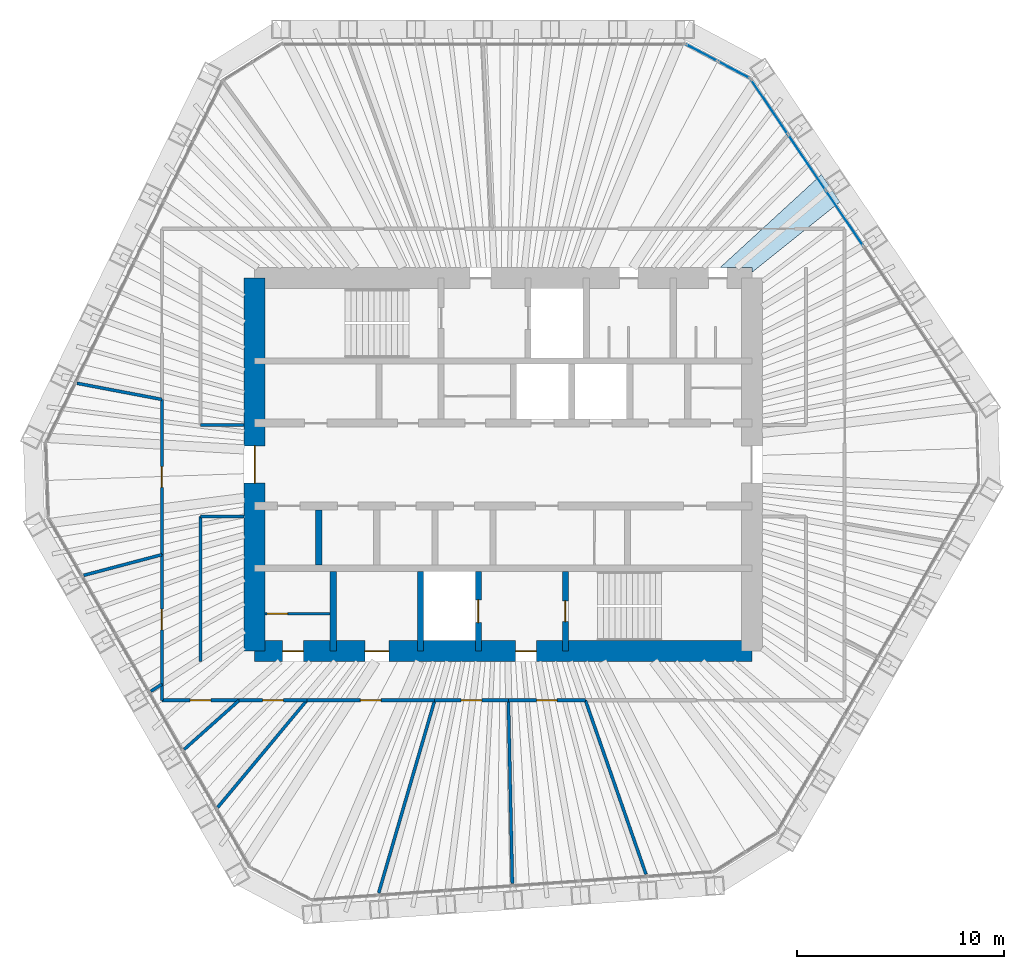
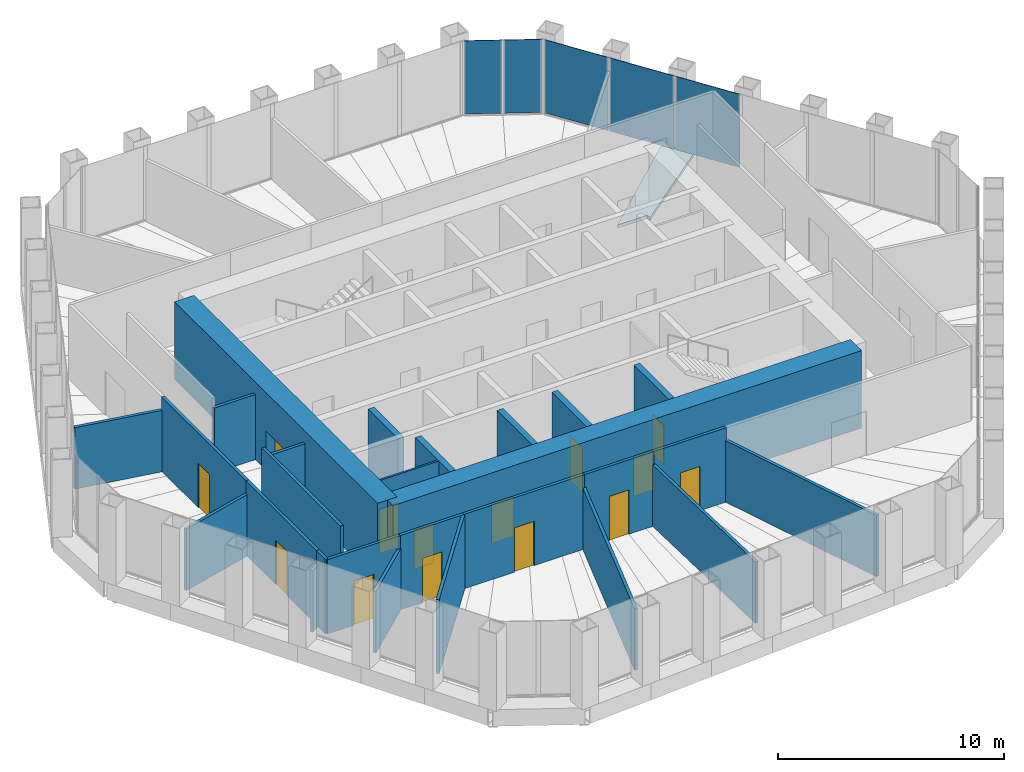
# One storey, part 11 of 14: 27 walls, 14 doors, 5 plates, 1 slab, 14 openings, 2 elements without a shape of their own.
"""IFC4 building model written with IfcOpenShell, lengths in metres."""

import ifcopenshell
import ifcopenshell.guid

model = None  # the IFC model being written
_history = None  # IfcOwnerHistory: only IFC2X3 demands one
_inside = {}  # id of a spatial element -> (the spatial element, [elements in it])
_under = {}  # id of a project, library or spatial element -> (it, [spatial elements below it])
_declared = {}  # id of a project -> (the project, [libraries it declares])
_typed = {}  # id of a type object -> (the type object, [elements of that type])
_made_of = {}  # id of a material, layer set ... -> (it, [elements and type objects made of it])


def new_model(schema):
    """Start an empty IFC model of exactly this schema.

    Asked for "IFC4X3", IfcOpenShell would pick the latest addendum, in which some entities
    have other attributes; the version numbers below select the first issue.
    IFC2X3 requires an IfcOwnerHistory on every rooted entity: one is made here for all.
    """
    global model, _history
    if schema == "IFC4X3":
        model = ifcopenshell.file(schema_version=(4, 3, 0, 0))
    else:
        model = ifcopenshell.file(schema=schema)
    _inside.clear()
    _under.clear()
    _declared.clear()
    _typed.clear()
    _made_of.clear()
    _history = None
    if model.schema == "IFC2X3":
        org = make("IfcOrganization", Name="unknown")
        user = make(
            "IfcPersonAndOrganization",
            ThePerson=make("IfcPerson", FamilyName="unknown"),
            TheOrganization=org,
        )
        app = make(
            "IfcApplication",
            ApplicationDeveloper=org,
            Version="unknown",
            ApplicationFullName="unknown",
            ApplicationIdentifier="unknown",
        )
        _history = make(
            "IfcOwnerHistory",
            OwningUser=user,
            OwningApplication=app,
            ChangeAction="ADDED",
            CreationDate=0,
        )
    return model


def make(cls, **values):
    """One entity of the class cls with the attributes given. An attribute that is None is left unset."""
    return model.create_entity(
        cls, **{name: value for name, value in values.items() if value is not None}
    )


def rooted(cls, **values):
    """An entity with a GlobalId (a new one), such as an element, a storey or a relation."""
    return make(cls, GlobalId=ifcopenshell.guid.new(), OwnerHistory=_history, **values)


def si_unit(unit_type, name, prefix=None):
    """IfcSIUnit, for example si_unit("LENGTHUNIT", "METRE", prefix="MILLI")."""
    return make("IfcSIUnit", UnitType=unit_type, Prefix=prefix, Name=name)


def assignment(units):
    """IfcUnitAssignment: the units of a project."""
    return None if units is None else make("IfcUnitAssignment", Units=units)


def point(xyz):
    """IfcCartesianPoint."""
    return None if xyz is None else make("IfcCartesianPoint", Coordinates=xyz)


def direction(xyz):
    """IfcDirection."""
    return None if xyz is None else make("IfcDirection", DirectionRatios=xyz)


def frame(location, z_axis=None, x_axis=None):
    """IfcAxis2Placement3D, a coordinate frame: its origin and axes. An axis left out is left unset."""
    return make(
        "IfcAxis2Placement3D",
        Location=point(location),
        Axis=direction(z_axis),
        RefDirection=direction(x_axis),
    )


def frame_2d(location, x_axis=None):
    """IfcAxis2Placement2D, a coordinate frame in the plane: its origin and x axis."""
    return make(
        "IfcAxis2Placement2D", Location=point(location), RefDirection=direction(x_axis)
    )


def origin():
    """The frame at (0, 0, 0) with its axes left unset."""
    return frame((0.0, 0.0, 0.0))


def origin_2d():
    """The frame at (0, 0) in the plane with its x axis left unset."""
    return frame_2d((0.0, 0.0))


def place(relative_to, where):
    """IfcLocalPlacement: puts the frame where relative to a parent placement (None: the world)."""
    return make(
        "IfcLocalPlacement", PlacementRelTo=relative_to, RelativePlacement=where
    )


def context(
    kind, dimensions, precision=None, world=None, true_north=None, identifier=None
):
    """IfcGeometricRepresentationContext, for example the 3D "Model" context."""
    return make(
        "IfcGeometricRepresentationContext",
        ContextIdentifier=identifier,
        ContextType=kind,
        CoordinateSpaceDimension=dimensions,
        Precision=precision,
        WorldCoordinateSystem=world,
        TrueNorth=true_north,
    )


def subcontext(parent, identifier, kind, view, scale=None):
    """IfcGeometricRepresentationSubContext, for example "Body" below "Model"."""
    return make(
        "IfcGeometricRepresentationSubContext",
        ContextIdentifier=identifier,
        ContextType=kind,
        ParentContext=parent,
        TargetScale=scale,
        TargetView=view,
    )


def project(units=None, contexts=None):
    """IfcProject with its units and contexts."""
    return rooted(
        "IfcProject",
        Name="project",
        RepresentationContexts=contexts,
        UnitsInContext=assignment(units),
    )


def spatial(cls, under=None, at=None, **own):
    """A site, building, storey or space (cls), placed at a placement, below another one or the project."""
    s = rooted(cls, ObjectPlacement=at, **own)
    if under is not None:
        _under.setdefault(under.id(), (under, []))[1].append(s)
    return s


def polyline(points):
    """IfcPolyline through the points."""
    return make("IfcPolyline", Points=[point(p) for p in points])


def profile(cls, at=None, kind="AREA", **sizes):
    """A parametric profile (cls). Its sizes go by their IFC names, for example OverallWidth=200.0."""
    return make(cls, ProfileType=kind, Position=at, **sizes)


def rectangle(**sizes):
    """IfcRectangleProfileDef."""
    return profile("IfcRectangleProfileDef", **sizes)


def outline(outer, holes=None, kind="AREA"):
    """IfcArbitraryClosedProfileDef: a profile drawn as a closed curve; with holes, ...WithVoids."""
    if holes is None:
        return make("IfcArbitraryClosedProfileDef", ProfileType=kind, OuterCurve=outer)
    return make(
        "IfcArbitraryProfileDefWithVoids",
        ProfileType=kind,
        OuterCurve=outer,
        InnerCurves=holes,
    )


def extrude(swept, where, along, depth):
    """IfcExtrudedAreaSolid: the profile swept, set in the frame where, extruded along a direction by depth."""
    return make(
        "IfcExtrudedAreaSolid",
        SweptArea=swept,
        Position=where,
        ExtrudedDirection=direction(along),
        Depth=depth,
    )


def shape(context_of_items, identifier, shape_type, items):
    """IfcShapeRepresentation: the items that make up one representation, for example the "Body"."""
    return make(
        "IfcShapeRepresentation",
        ContextOfItems=context_of_items,
        RepresentationIdentifier=identifier,
        RepresentationType=shape_type,
        Items=items,
    )


def material(Name=None, Category=None):
    """IfcMaterial."""
    return make("IfcMaterial", Name=Name, Category=Category)


def layer(
    of_material, thickness, ventilated=None, Name=None, Category=None, Priority=None
):
    """IfcMaterialLayer: one layer of a wall or slab, of a material (None: an air gap)."""
    return make(
        "IfcMaterialLayer",
        Material=of_material,
        LayerThickness=thickness,
        IsVentilated=ventilated,
        Name=Name,
        Category=Category,
        Priority=Priority,
    )


def layer_set(layers, Name=None):
    """IfcMaterialLayerSet."""
    return make("IfcMaterialLayerSet", MaterialLayers=layers, LayerSetName=Name)


def made_of(thing, what):
    """Note that an element or type object is made of a material, layer set ...; save() writes the relation."""
    if what is not None:
        _made_of.setdefault(what.id(), (what, []))[1].append(thing)
    return thing


def type_object(cls, material=None, **own):
    """A type object (cls), such as IfcWallType, which elements share."""
    return made_of(rooted(cls, **own), material)


def element(
    cls,
    number,
    at=None,
    inside=None,
    cuts=None,
    type_object=None,
    material=None,
    context=None,
    identifier="Body",
    shape_type=None,
    held_by="IfcProductDefinitionShape",
    body=None,
    shapes=None,
    **own,
):
    """One element of the class cls, such as IfcWall. Its Tag is "e" and its number.

    at: its placement. inside: the storey or other place that contains it. cuts: it is an
    opening in that element (IfcRelVoidsElement). A single representation is given by context,
    identifier, shape_type and body (its items); several are given by shapes. held_by: the class
    of the entity that holds the representations. save() writes the other relations.
    """
    e = rooted(cls, Tag="e%d" % number, ObjectPlacement=at, **own)
    if body is not None:
        shapes = [shape(context, identifier, shape_type, body)]
    if shapes is not None:
        e.Representation = make(held_by, Representations=shapes)
    if inside is not None:
        _inside.setdefault(inside.id(), (inside, []))[1].append(e)
    if cuts is not None:
        rooted(
            "IfcRelVoidsElement", RelatingBuildingElement=cuts, RelatedOpeningElement=e
        )
    if type_object is not None:
        _typed.setdefault(type_object.id(), (type_object, []))[1].append(e)
    return made_of(e, material)


def fill(opening, filler):
    """IfcRelFillsElement: the door or window that sits in an opening."""
    return rooted(
        "IfcRelFillsElement",
        RelatingOpeningElement=opening,
        RelatedBuildingElement=filler,
    )


def aggregate(whole, parts):
    """IfcRelAggregates: a whole, such as a stair, and the parts it consists of."""
    return rooted("IfcRelAggregates", RelatingObject=whole, RelatedObjects=parts)


def save(model, path):
    """Write the relations noted so far, then the file.

    IfcRelAggregates (storeys below a building ...), IfcRelContainedInSpatialStructure (elements
    in a storey), IfcRelDefinesByType, IfcRelAssociatesMaterial and IfcRelDeclares: one each for
    every whole, place, type object, material and project.
    """
    for whole, parts in _under.values():
        aggregate(whole, parts)
    for where, things in _inside.values():
        rooted(
            "IfcRelContainedInSpatialStructure",
            RelatedElements=things,
            RelatingStructure=where,
        )
    for kind, things in _typed.values():
        rooted("IfcRelDefinesByType", RelatedObjects=things, RelatingType=kind)
    for what, things in _made_of.values():
        rooted("IfcRelAssociatesMaterial", RelatedObjects=things, RelatingMaterial=what)
    for by, libraries in _declared.values():
        rooted("IfcRelDeclares", RelatingContext=by, RelatedDefinitions=libraries)
    model.write(path)


model = new_model("IFC4")

# Units and contexts
model_context = context("Model", 3, precision=1e-05, world=origin(), true_north=direction((0.0, 1.0)))
body_context = subcontext(model_context, "Body", "Model", "MODEL_VIEW")
ifc_project = project(units=[si_unit("LENGTHUNIT", "METRE"), si_unit("AREAUNIT", "SQUARE_METRE"), si_unit("VOLUMEUNIT", "CUBIC_METRE"), si_unit("PLANEANGLEUNIT", "RADIAN"), si_unit("MASSUNIT", "GRAM", prefix="KILO")], contexts=[model_context])

# Site, building, storey
site_placement = place(None, origin())
site = spatial("IfcSite", under=ifc_project, at=site_placement, CompositionType="ELEMENT")
building_placement = place(site_placement, origin())
building = spatial("IfcBuilding", under=site, at=building_placement, Name="Qingtian Harvest Tower", CompositionType="ELEMENT")
storey_placement = place(building_placement, frame((0.0, 0.0, 270.39990234375)))
storey = spatial("IfcBuildingStorey", under=building, at=storey_placement, Name="L59", CompositionType="ELEMENT", Elevation=270.39990234375)

# Slab
ifc_material_1 = material(Name="Concrete fc' 35 MPa", Category="concrete")
ifc_layer_1 = layer(ifc_material_1, 0.169921875)
ifc_layer_set_1 = layer_set([ifc_layer_1], Name="Composite floor slab FS17 170")
slab_type = type_object("IfcSlabType", Name="Composite floor slab FS17 170", PredefinedType="FLOOR", material=ifc_layer_set_1)
slab_placement = place(storey_placement, frame((0.0, 0.0, -0.169921875)))
element("IfcSlab", 1, at=slab_placement, inside=storey, type_object=slab_type, Name="Floor slab L59 panel D48", PredefinedType="FLOOR", context=body_context, shape_type="SweptSolid", body=[
    extrude(outline(polyline([(12.0, 9.5), (10.4599609375, 9.5), (15.35498046875, 13.99365234375), (16.24609375, 12.672607421875), (12.0, 9.2734375), (12.0, 9.5)])), origin(), (0.0, 0.0, 1.0), 0.169921875),
])

# Curtain wall, plates
ifc_material_2 = material(Name="Bronze-anodised aluminium curtain wall", Category="aluminium")
curtain_wall_type = type_object("IfcCurtainWallType", Name="Curtain wall CW5 upper office", PredefinedType="USERDEFINED", material=ifc_material_2)
curtain_wall_1_placement = place(storey_placement, origin())
curtain_wall_1 = element("IfcCurtainWall", 2, at=curtain_wall_1_placement, inside=storey, type_object=curtain_wall_type, Name="Curtain wall CW5 L59 NC", ObjectType="RECESSED CURTAIN WALL", PredefinedType="USERDEFINED")
ifc_material_3 = material(Name="Bronze-tinted laminated insulating glass", Category="glass")
ifc_layer_2 = layer(ifc_material_3, 0.030029296875)
ifc_layer_set_2 = layer_set([ifc_layer_2], Name="Glazed panel CWP tinted IGU")
plate_type = type_object("IfcPlateType", Name="Glazed panel CWP tinted IGU", PredefinedType="CURTAIN_PANEL", material=ifc_layer_set_2)
plate_1_placement = place(storey_placement, frame((9.57080078125, 19.8720703125, 0.06494140625), z_axis=(0.0, 0.0, 1.0), x_axis=(0.882947592859, -0.469471562786, 0.0)))
plate_1 = element("IfcPlate", 3, at=plate_1_placement, type_object=plate_type, Name="CW5 panel 1.1", PredefinedType="CURTAIN_PANEL", context=body_context, shape_type="SweptSolid", body=[
    extrude(rectangle(XDim=1.69287109375, YDim=0.030029296875, at=origin_2d()), origin(), (0.0, 0.0, 1.0), 3.965087890625),
])
plate_2_placement = place(storey_placement, frame((11.122802734375, 19.046875, 0.06494140625), z_axis=(0.0, 0.0, 1.0), x_axis=(0.882947592859, -0.469471562786, 0.0)))
plate_2 = element("IfcPlate", 4, at=plate_2_placement, type_object=plate_type, Name="CW5 panel 2.1", PredefinedType="CURTAIN_PANEL", context=body_context, shape_type="SweptSolid", body=[
    extrude(rectangle(XDim=1.69287109375, YDim=0.030029296875, at=origin_2d()), origin(), (0.0, 0.0, 1.0), 3.965087890625),
])
aggregate(curtain_wall_1, [plate_1, plate_2])

curtain_wall_2_placement = place(storey_placement, origin())
curtain_wall_2 = element("IfcCurtainWall", 5, at=curtain_wall_2_placement, inside=storey, type_object=curtain_wall_type, Name="Curtain wall CW5 L59 NE0-5", ObjectType="RECESSED CURTAIN WALL", PredefinedType="USERDEFINED")
plate_3_placement = place(storey_placement, frame((12.844970703125, 17.259033203125, 0.06494140625), z_axis=(0.0, 0.0, 1.0), x_axis=(0.559192903471, -0.829037572555, 0.0)))
plate_3 = element("IfcPlate", 6, at=plate_3_placement, type_object=plate_type, Name="CW5 panel 1.1", PredefinedType="CURTAIN_PANEL", context=body_context, shape_type="SweptSolid", body=[
    extrude(rectangle(XDim=3.150634765625, YDim=0.030029296875, at=origin_2d()), origin(), (0.0, 0.0, 1.0), 3.965087890625),
])
plate_4_placement = place(storey_placement, frame((14.652099609375, 14.579833984375, 0.06494140625), z_axis=(0.0, 0.0, 1.0), x_axis=(0.559192903471, -0.829037572555, 0.0)))
plate_4 = element("IfcPlate", 7, at=plate_4_placement, type_object=plate_type, Name="CW5 panel 2.1", PredefinedType="CURTAIN_PANEL", context=body_context, shape_type="SweptSolid", body=[
    extrude(rectangle(XDim=3.18310546875, YDim=0.030029296875, at=origin_2d()), origin(), (0.0, 0.0, 1.0), 3.965087890625),
])
plate_5_placement = place(storey_placement, frame((16.46826171875, 11.886962890625, 0.06494140625), z_axis=(0.0, 0.0, 1.0), x_axis=(0.559192903471, -0.829037572555, 0.0)))
plate_5 = element("IfcPlate", 8, at=plate_5_placement, type_object=plate_type, Name="CW5 panel 3.1", PredefinedType="CURTAIN_PANEL", context=body_context, shape_type="SweptSolid", body=[
    extrude(rectangle(XDim=3.18310546875, YDim=0.030029296875, at=origin_2d()), origin(), (0.0, 0.0, 1.0), 3.965087890625),
])
aggregate(curtain_wall_2, [plate_3, plate_4, plate_5])

# Walls
ifc_material_4 = material(Name="Precast concrete shaft panel", Category="concrete")
ifc_layer_3 = layer(ifc_material_4, 0.300048828125)
ifc_layer_set_3 = layer_set([ifc_layer_3], Name="Core shaft partition SW1 300")
wall_type_1 = type_object("IfcWallType", Name="Core shaft partition SW1 300", PredefinedType="PARTITIONING", material=ifc_layer_set_3)
wall_1_placement = place(storey_placement, frame((-8.89990234375, -4.85009765625, 0.0), z_axis=(0.0, 0.0, 1.0), x_axis=(0.0, 1.0, 0.0)))
element("IfcWall", 9, at=wall_1_placement, inside=storey, type_object=wall_type_1, Name="Core shaft partition XB1 L59", PredefinedType="PARTITIONING", context=body_context, shape_type="SweptSolid", body=[
    extrude(rectangle(XDim=2.650146484375, YDim=0.300048828125, at=frame_2d((1.3251953125, 0.0))), origin(), (0.0, 0.0, 1.0), 3.97998046875),
])
for number, where, z_axis, x_axis, name in (
    (10, (-8.199951171875, -9.0, 0.0), (0.0, 0.0, 1.0), (0.0, 1.0, 0.0), "Core shaft partition XS1 L59"),
    (11, (-4.0, -9.0, 0.0), (0.0, 0.0, 1.0), (0.0, 1.0, 0.0), "Core shaft partition XS2 L59"),
):
    element("IfcWall", number, at=place(storey_placement, frame(where, z_axis=z_axis, x_axis=x_axis)), inside=storey, type_object=wall_type_1, Name=name, PredefinedType="PARTITIONING", context=body_context, shape_type="SweptSolid", body=[
        extrude(rectangle(XDim=3.85009765625, YDim=0.300048828125, at=frame_2d((1.925048828125, 0.0))), origin(), (0.0, 0.0, 1.0), 3.97998046875),
    ])

# Wall, opening, door
wall_2_placement = place(storey_placement, frame((-1.199951171875, -9.0, 0.0), z_axis=(0.0, 0.0, 1.0), x_axis=(0.0, 1.0, 0.0)))
wall_2 = element("IfcWall", 12, at=wall_2_placement, inside=storey, type_object=wall_type_1, Name="Core shaft partition XS3 L59", PredefinedType="PARTITIONING", context=body_context, shape_type="SweptSolid", body=[
    extrude(rectangle(XDim=3.85009765625, YDim=0.300048828125, at=frame_2d((1.925048828125, 0.0))), origin(), (0.0, 0.0, 1.0), 3.97998046875),
])
opening_1_placement = place(wall_2_placement, frame((1.375, 0.0, 0.0)))
opening_1 = element("IfcOpeningElement", 13, at=opening_1_placement, cuts=wall_2, Name="Opening LD1", PredefinedType="OPENING", context=body_context, shape_type="SweptSolid", body=[
    extrude(rectangle(XDim=1.10009765625, YDim=2.39990234375, at=frame_2d((0.550048828125, 1.199951171875))), frame((0.0, 0.159912109375, 0.0), z_axis=(0.0, -1.0, 0.0), x_axis=(1.0, 0.0, 0.0)), (0.0, 0.0, 1.0), 0.320068359375),
])
ifc_material_5 = material(Name="Stainless steel lift landing door", Category="steel")
door_type_1 = type_object("IfcDoorType", Name="Lift landing door LD1 1 HR", OperationType="DOUBLE_DOOR_SLIDING", PredefinedType="DOOR", material=ifc_material_5)
door_1_placement = place(opening_1_placement, origin())
door_1 = element("IfcDoor", 14, at=door_1_placement, inside=storey, type_object=door_type_1, Name="FL2 landing door L59", OperationType="DOUBLE_DOOR_SLIDING", OverallHeight=2.39990234375, OverallWidth=1.10009765625, PredefinedType="DOOR", context=body_context, shape_type="SweptSolid", body=[
    extrude(rectangle(XDim=1.10009765625, YDim=2.39990234375, at=frame_2d((0.550048828125, 1.199951171875))), frame((0.0, 0.02490234375, 0.0), z_axis=(0.0, -1.0, 0.0), x_axis=(1.0, 0.0, 0.0)), (0.0, 0.0, 1.0), 0.050048828125),
])
fill(opening_1, door_1)

wall_3_placement = place(storey_placement, frame((3.0, -9.0, 0.0), z_axis=(0.0, 0.0, 1.0), x_axis=(0.0, 1.0, 0.0)))
wall_3 = element("IfcWall", 15, at=wall_3_placement, inside=storey, type_object=wall_type_1, Name="Core shaft partition XS4 L59", PredefinedType="PARTITIONING", context=body_context, shape_type="SweptSolid", body=[
    extrude(rectangle(XDim=3.85009765625, YDim=0.300048828125, at=frame_2d((1.925048828125, 0.0))), origin(), (0.0, 0.0, 1.0), 3.97998046875),
])
opening_2_placement = place(wall_3_placement, frame((1.425048828125, 0.0, 0.0)))
opening_2 = element("IfcOpeningElement", 16, at=opening_2_placement, cuts=wall_3, Name="Opening FD1", PredefinedType="OPENING", context=body_context, shape_type="SweptSolid", body=[
    extrude(rectangle(XDim=1.0, YDim=2.10009765625, at=frame_2d((0.5, 1.050048828125))), frame((0.0, 0.159912109375, 0.0), z_axis=(0.0, -1.0, 0.0), x_axis=(1.0, 0.0, 0.0)), (0.0, 0.0, 1.0), 0.320068359375),
])
ifc_material_6 = material(Name="Steel-faced door leaf", Category="steel")
door_type_2 = type_object("IfcDoorType", Name="Fire door FD1 single 1 HR", OperationType="SINGLE_SWING_LEFT", PredefinedType="DOOR", material=ifc_material_6)
door_2_placement = place(opening_2_placement, origin())
door_2 = element("IfcDoor", 17, at=door_2_placement, inside=storey, type_object=door_type_2, Name="S2 door L59", OperationType="SINGLE_SWING_RIGHT", OverallHeight=2.10009765625, OverallWidth=1.0, PredefinedType="DOOR", context=body_context, shape_type="SweptSolid", body=[
    extrude(rectangle(XDim=1.0, YDim=2.10009765625, at=frame_2d((0.5, 1.050048828125))), frame((0.0, 0.02490234375, 0.0), z_axis=(0.0, -1.0, 0.0), x_axis=(1.0, 0.0, 0.0)), (0.0, 0.0, 1.0), 0.050048828125),
])
fill(opening_2, door_2)

# Wall, openings, doors
ifc_material_7 = material(Name="Concrete fc' 70 MPa", Category="concrete")
ifc_layer_4 = layer(ifc_material_7, 1.0)
ifc_layer_set_4 = layer_set([ifc_layer_4], Name="Core wall RC3 1000")
wall_type_2 = type_object("IfcWallType", Name="Core wall RC3 1000", PredefinedType="SHEAR", material=ifc_layer_set_4)
wall_4_placement = place(storey_placement, frame((-12.0, -9.0, 0.0), z_axis=(0.0, 0.0, 1.0), x_axis=(1.0, 0.0, 0.0)))
wall_4 = element("IfcWall", 18, at=wall_4_placement, inside=storey, type_object=wall_type_2, Name="Core wall CS L59", PredefinedType="SHEAR", context=body_context, shape_type="SweptSolid", body=[
    extrude(rectangle(XDim=24.0, YDim=1.0, at=frame_2d((12.0, 0.0))), origin(), (0.0, 0.0, 1.0), 4.2001953125),
])
opening_3_placement = place(wall_4_placement, frame((1.35009765625, 0.0, 0.0)))
opening_3 = element("IfcOpeningElement", 19, at=opening_3_placement, cuts=wall_4, Name="Opening FD1", PredefinedType="OPENING", context=body_context, shape_type="SweptSolid", body=[
    extrude(rectangle(XDim=1.0, YDim=2.10009765625, at=frame_2d((0.5, 1.050048828125))), frame((0.0, 0.510009765625, 0.0), z_axis=(0.0, -1.0, 0.0), x_axis=(1.0, 0.0, 0.0)), (0.0, 0.0, 1.0), 1.02001953125),
])
opening_4_placement = place(wall_4_placement, frame((5.324951171875, 0.0, 0.0)))
opening_4 = element("IfcOpeningElement", 20, at=opening_4_placement, cuts=wall_4, Name="Opening AD1", PredefinedType="OPENING", context=body_context, shape_type="SweptSolid", body=[
    extrude(rectangle(XDim=1.14990234375, YDim=2.10009765625, at=frame_2d((0.574951171875, 1.050048828125))), frame((0.0, 0.510009765625, 0.0), z_axis=(0.0, -1.0, 0.0), x_axis=(1.0, 0.0, 0.0)), (0.0, 0.0, 1.0), 1.02001953125),
])
opening_5_placement = place(wall_4_placement, frame((12.60009765625, 0.0, 0.0)))
opening_5 = element("IfcOpeningElement", 21, at=opening_5_placement, cuts=wall_4, Name="Opening FD1", PredefinedType="OPENING", context=body_context, shape_type="SweptSolid", body=[
    extrude(rectangle(XDim=1.0, YDim=2.10009765625, at=frame_2d((0.5, 1.050048828125))), frame((0.0, 0.510009765625, 0.0), z_axis=(0.0, -1.0, 0.0), x_axis=(1.0, 0.0, 0.0)), (0.0, 0.0, 1.0), 1.02001953125),
])
ifc_material_8 = material(Name="Laminated timber door leaf", Category="wood")
door_type_3 = type_object("IfcDoorType", Name="Accessible WC door AD1 single", OperationType="SINGLE_SWING_LEFT", PredefinedType="DOOR", material=ifc_material_8)
door_3_placement = place(opening_4_placement, origin())
door_3 = element("IfcDoor", 22, at=door_3_placement, inside=storey, type_object=door_type_3, Name="AWC door L59", OperationType="SINGLE_SWING_LEFT", OverallHeight=2.10009765625, OverallWidth=1.14990234375, PredefinedType="DOOR", context=body_context, shape_type="SweptSolid", body=[
    extrude(rectangle(XDim=1.14990234375, YDim=2.10009765625, at=frame_2d((0.574951171875, 1.050048828125))), frame((0.0, 0.02490234375, 0.0), z_axis=(0.0, -1.0, 0.0), x_axis=(1.0, 0.0, 0.0)), (0.0, 0.0, 1.0), 0.050048828125),
])
fill(opening_4, door_3)
door_4_placement = place(opening_3_placement, origin())
door_4 = element("IfcDoor", 23, at=door_4_placement, inside=storey, type_object=door_type_2, Name="CLN door L59", OperationType="SINGLE_SWING_RIGHT", OverallHeight=2.10009765625, OverallWidth=1.0, PredefinedType="DOOR", context=body_context, shape_type="SweptSolid", body=[
    extrude(rectangle(XDim=1.0, YDim=2.10009765625, at=frame_2d((0.5, 1.050048828125))), frame((0.0, 0.02490234375, 0.0), z_axis=(0.0, -1.0, 0.0), x_axis=(1.0, 0.0, 0.0)), (0.0, 0.0, 1.0), 0.050048828125),
])
fill(opening_3, door_4)
door_5_placement = place(opening_5_placement, origin())
door_5 = element("IfcDoor", 24, at=door_5_placement, inside=storey, type_object=door_type_2, Name="V2 door L59", OperationType="SINGLE_SWING_RIGHT", OverallHeight=2.10009765625, OverallWidth=1.0, PredefinedType="DOOR", context=body_context, shape_type="SweptSolid", body=[
    extrude(rectangle(XDim=1.0, YDim=2.10009765625, at=frame_2d((0.5, 1.050048828125))), frame((0.0, 0.02490234375, 0.0), z_axis=(0.0, -1.0, 0.0), x_axis=(1.0, 0.0, 0.0)), (0.0, 0.0, 1.0), 0.050048828125),
])
fill(opening_5, door_5)

# Wall, opening, door
wall_5_placement = place(storey_placement, frame((-12.0, -9.0, 0.0), z_axis=(0.0, 0.0, 1.0), x_axis=(0.0, 1.0, 0.0)))
wall_5 = element("IfcWall", 25, at=wall_5_placement, inside=storey, type_object=wall_type_2, Name="Core wall CW L59", PredefinedType="SHEAR", context=body_context, shape_type="SweptSolid", body=[
    extrude(rectangle(XDim=18.0, YDim=1.0, at=frame_2d((9.0, 0.0))), origin(), (0.0, 0.0, 1.0), 4.2001953125),
])
opening_6_placement = place(wall_5_placement, frame((8.10009765625, 0.0, 0.0)))
opening_6 = element("IfcOpeningElement", 26, at=opening_6_placement, cuts=wall_5, Name="Opening FD2", PredefinedType="OPENING", context=body_context, shape_type="SweptSolid", body=[
    extrude(rectangle(XDim=1.800048828125, YDim=2.10009765625, at=frame_2d((0.89990234375, 1.050048828125))), frame((0.0, 0.510009765625, 0.0), z_axis=(0.0, -1.0, 0.0), x_axis=(1.0, 0.0, 0.0)), (0.0, 0.0, 1.0), 1.02001953125),
])
ifc_material_9 = material(Name="Steel-faced door leaf", Category="steel")
door_type_4 = type_object("IfcDoorType", Name="Fire door FD2 double 1 HR", OperationType="DOUBLE_DOOR_DOUBLE_SWING", PredefinedType="DOOR", material=ifc_material_9)
door_6_placement = place(opening_6_placement, origin())
door_6 = element("IfcDoor", 27, at=door_6_placement, inside=storey, type_object=door_type_4, Name="LOBBY-W door L59", OperationType="DOUBLE_DOOR_DOUBLE_SWING", OverallHeight=2.10009765625, OverallWidth=1.800048828125, PredefinedType="DOOR", context=body_context, shape_type="SweptSolid", body=[
    extrude(rectangle(XDim=1.800048828125, YDim=2.10009765625, at=frame_2d((0.89990234375, 1.050048828125))), frame((0.0, 0.02490234375, 0.0), z_axis=(0.0, -1.0, 0.0), x_axis=(1.0, 0.0, 0.0)), (0.0, 0.0, 1.0), 0.050048828125),
])
fill(opening_6, door_6)

# Wall
ifc_material_10 = material(Name="Gypsum board on steel studs", Category="steel")
ifc_layer_5 = layer(ifc_material_10, 0.14990234375)
ifc_layer_set_5 = layer_set([ifc_layer_5], Name="Partition PT1 150")
wall_type_3 = type_object("IfcWallType", Name="Partition PT1 150", PredefinedType="PARTITIONING", material=ifc_layer_set_5)
wall_6_placement = place(storey_placement, frame((-13.779296875, -16.546142578125, 0.0), z_axis=(0.0, 0.0, 1.0), x_axis=(0.63993100432, 0.768432371592, 0.0)))
element("IfcWall", 28, at=wall_6_placement, inside=storey, type_object=wall_type_3, Name="Private office wall L59", PredefinedType="PARTITIONING", context=body_context, shape_type="SweptSolid", body=[
    extrude(rectangle(XDim=6.7294921875, YDim=0.14990234375, at=frame_2d((3.36474609375, 0.0))), origin(), (0.0, 0.0, 1.0), 4.030029296875),
])

# Wall, opening, door
wall_7_placement = place(storey_placement, frame((-9.472900390625, -11.375, 0.0), z_axis=(0.0, 0.0, 1.0), x_axis=(-1.0, 0.0, 0.0)))
wall_7 = element("IfcWall", 29, at=wall_7_placement, inside=storey, type_object=wall_type_3, Name="Private office wall L59", PredefinedType="PARTITIONING", context=body_context, shape_type="SweptSolid", body=[
    extrude(rectangle(XDim=3.26708984375, YDim=0.14990234375, at=frame_2d((1.633544921875, 0.0))), origin(), (0.0, 0.0, 1.0), 4.030029296875),
])
opening_7_placement = place(wall_7_placement, frame((1.133544921875, 0.0, 0.0)))
opening_7 = element("IfcOpeningElement", 30, at=opening_7_placement, cuts=wall_7, Name="Opening D2", PredefinedType="OPENING", context=body_context, shape_type="SweptSolid", body=[
    extrude(rectangle(XDim=1.0, YDim=2.39990234375, at=frame_2d((0.5, 1.199951171875))), frame((0.0, 0.0849609375, 0.0), z_axis=(0.0, -1.0, 0.0), x_axis=(1.0, 0.0, 0.0)), (0.0, 0.0, 1.0), 0.169921875),
])
ifc_material_11 = material(Name="Laminated timber door leaf", Category="wood")
door_type_5 = type_object("IfcDoorType", Name="Room door D2 single", OperationType="SINGLE_SWING_LEFT", PredefinedType="DOOR", material=ifc_material_11)
door_7_placement = place(opening_7_placement, origin())
door_7 = element("IfcDoor", 31, at=door_7_placement, inside=storey, type_object=door_type_5, Name="Private office door L59", OperationType="SINGLE_SWING_RIGHT", OverallHeight=2.39990234375, OverallWidth=1.0, PredefinedType="DOOR", context=body_context, shape_type="SweptSolid", body=[
    extrude(rectangle(XDim=1.0, YDim=2.39990234375, at=frame_2d((0.5, 1.199951171875))), frame((0.0, 0.02490234375, 0.0), z_axis=(0.0, -1.0, 0.0), x_axis=(1.0, 0.0, 0.0)), (0.0, 0.0, 1.0), 0.050048828125),
])
fill(opening_7, door_7)

# Wall
wall_8_placement = place(storey_placement, frame((-15.392578125, -13.743408203125, 0.0), z_axis=(0.0, 0.0, 1.0), x_axis=(0.745934007174, 0.666019862273, 0.0)))
element("IfcWall", 32, at=wall_8_placement, inside=storey, type_object=wall_type_3, Name="Private office wall L59", PredefinedType="PARTITIONING", context=body_context, shape_type="SweptSolid", body=[
    extrude(rectangle(XDim=3.55615234375, YDim=0.14990234375, at=frame_2d((1.778076171875, 0.0))), origin(), (0.0, 0.0, 1.0), 3.330078125),
])

# Wall, opening, door
wall_9_placement = place(storey_placement, frame((-12.739990234375, -11.375, 0.0), z_axis=(0.0, 0.0, 1.0), x_axis=(-1.0, 0.0, 0.0)))
wall_9 = element("IfcWall", 33, at=wall_9_placement, inside=storey, type_object=wall_type_3, Name="Private office wall L59", PredefinedType="PARTITIONING", context=body_context, shape_type="SweptSolid", body=[
    extrude(rectangle(XDim=3.735107421875, YDim=0.14990234375, at=frame_2d((1.86767578125, 0.0))), origin(), (0.0, 0.0, 1.0), 4.030029296875),
])
opening_8_placement = place(wall_9_placement, frame((1.367431640625, 0.0, 0.0)))
opening_8 = element("IfcOpeningElement", 34, at=opening_8_placement, cuts=wall_9, Name="Opening D2", PredefinedType="OPENING", context=body_context, shape_type="SweptSolid", body=[
    extrude(rectangle(XDim=1.0, YDim=2.39990234375, at=frame_2d((0.5, 1.199951171875))), frame((0.0, 0.0849609375, 0.0), z_axis=(0.0, -1.0, 0.0), x_axis=(1.0, 0.0, 0.0)), (0.0, 0.0, 1.0), 0.169921875),
])
door_8_placement = place(opening_8_placement, origin())
door_8 = element("IfcDoor", 35, at=door_8_placement, inside=storey, type_object=door_type_5, Name="Private office door L59", OperationType="SINGLE_SWING_LEFT", OverallHeight=2.39990234375, OverallWidth=1.0, PredefinedType="DOOR", context=body_context, shape_type="SweptSolid", body=[
    extrude(rectangle(XDim=1.0, YDim=2.39990234375, at=frame_2d((0.5, 1.199951171875))), frame((0.0, 0.02490234375, 0.0), z_axis=(0.0, -1.0, 0.0), x_axis=(1.0, 0.0, 0.0)), (0.0, 0.0, 1.0), 0.050048828125),
])
fill(opening_8, door_8)

# Walls
wall_10_placement = place(storey_placement, frame((-16.47509765625, -11.375, 0.0), z_axis=(0.0, 0.0, 1.0), x_axis=(0.0, 1.0, 0.0)))
element("IfcWall", 36, at=wall_10_placement, inside=storey, type_object=wall_type_3, Name="Private office wall L59", PredefinedType="PARTITIONING", context=body_context, shape_type="SweptSolid", body=[
    extrude(rectangle(XDim=0.7744140625, YDim=0.14990234375, at=frame_2d((0.38720703125, 0.0))), origin(), (0.0, 0.0, 1.0), 4.030029296875),
])
wall_11_placement = place(storey_placement, frame((-17.007080078125, -10.943115234375, 0.0), z_axis=(0.0, 0.0, 1.0), x_axis=(0.840789611822, 0.541362012568, 0.0)))
element("IfcWall", 37, at=wall_11_placement, inside=storey, type_object=wall_type_3, Name="Focus room wall L59", PredefinedType="PARTITIONING", context=body_context, shape_type="SweptSolid", body=[
    extrude(rectangle(XDim=0.6328125, YDim=0.14990234375, at=frame_2d((0.31640625, 0.0))), origin(), (0.0, 0.0, 1.0), 3.330078125),
])

# Wall, opening, door
wall_12_placement = place(storey_placement, frame((-16.47509765625, -10.6005859375, 0.0), z_axis=(0.0, 0.0, 1.0), x_axis=(0.0, 1.0, 0.0)))
wall_12 = element("IfcWall", 38, at=wall_12_placement, inside=storey, type_object=wall_type_3, Name="Focus room wall L59", PredefinedType="PARTITIONING", context=body_context, shape_type="SweptSolid", body=[
    extrude(rectangle(XDim=6.249755859375, YDim=0.14990234375, at=frame_2d((3.125, 0.0))), origin(), (0.0, 0.0, 1.0), 4.030029296875),
])
opening_9_placement = place(wall_12_placement, frame((2.624755859375, 0.0, 0.0)))
opening_9 = element("IfcOpeningElement", 39, at=opening_9_placement, cuts=wall_12, Name="Opening D2", PredefinedType="OPENING", context=body_context, shape_type="SweptSolid", body=[
    extrude(rectangle(XDim=1.0, YDim=2.39990234375, at=frame_2d((0.5, 1.199951171875))), frame((0.0, 0.0849609375, 0.0), z_axis=(0.0, -1.0, 0.0), x_axis=(1.0, 0.0, 0.0)), (0.0, 0.0, 1.0), 0.169921875),
])
door_9_placement = place(opening_9_placement, origin())
door_9 = element("IfcDoor", 40, at=door_9_placement, inside=storey, type_object=door_type_5, Name="Focus room door L59", OperationType="SINGLE_SWING_LEFT", OverallHeight=2.39990234375, OverallWidth=1.0, PredefinedType="DOOR", context=body_context, shape_type="SweptSolid", body=[
    extrude(rectangle(XDim=1.0, YDim=2.39990234375, at=frame_2d((0.5, 1.199951171875))), frame((0.0, 0.02490234375, 0.0), z_axis=(0.0, -1.0, 0.0), x_axis=(1.0, 0.0, 0.0)), (0.0, 0.0, 1.0), 0.050048828125),
])
fill(opening_9, door_9)

# Wall
wall_13_placement = place(storey_placement, frame((-20.24267578125, -5.345947265625, 0.0), z_axis=(0.0, 0.0, 1.0), x_axis=(0.966843659694, 0.25536902261, 0.0)))
element("IfcWall", 41, at=wall_13_placement, inside=storey, type_object=wall_type_3, Name="Meeting room wall L59", PredefinedType="PARTITIONING", context=body_context, shape_type="SweptSolid", body=[
    extrude(rectangle(XDim=3.896728515625, YDim=0.14990234375, at=frame_2d((1.9482421875, 0.0))), origin(), (0.0, 0.0, 1.0), 3.330078125),
])

# Wall, opening, door
wall_14_placement = place(storey_placement, frame((-16.47509765625, -4.350830078125, 0.0), z_axis=(0.0, 0.0, 1.0), x_axis=(0.0, 1.0, 0.0)))
wall_14 = element("IfcWall", 42, at=wall_14_placement, inside=storey, type_object=wall_type_3, Name="Meeting room wall L59", PredefinedType="PARTITIONING", context=body_context, shape_type="SweptSolid", body=[
    extrude(rectangle(XDim=7.49169921875, YDim=0.14990234375, at=frame_2d((3.745849609375, 0.0))), origin(), (0.0, 0.0, 1.0), 4.030029296875),
])
opening_10_placement = place(wall_14_placement, frame((3.245849609375, 0.0, 0.0)))
opening_10 = element("IfcOpeningElement", 43, at=opening_10_placement, cuts=wall_14, Name="Opening D2", PredefinedType="OPENING", context=body_context, shape_type="SweptSolid", body=[
    extrude(rectangle(XDim=1.0, YDim=2.39990234375, at=frame_2d((0.5, 1.199951171875))), frame((0.0, 0.0849609375, 0.0), z_axis=(0.0, -1.0, 0.0), x_axis=(1.0, 0.0, 0.0)), (0.0, 0.0, 1.0), 0.169921875),
])
door_10_placement = place(opening_10_placement, origin())
door_10 = element("IfcDoor", 44, at=door_10_placement, inside=storey, type_object=door_type_5, Name="Meeting room door L59", OperationType="SINGLE_SWING_LEFT", OverallHeight=2.39990234375, OverallWidth=1.0, PredefinedType="DOOR", context=body_context, shape_type="SweptSolid", body=[
    extrude(rectangle(XDim=1.0, YDim=2.39990234375, at=frame_2d((0.5, 1.199951171875))), frame((0.0, 0.02490234375, 0.0), z_axis=(0.0, -1.0, 0.0), x_axis=(1.0, 0.0, 0.0)), (0.0, 0.0, 1.0), 0.050048828125),
])
fill(opening_10, door_10)

# Walls
wall_15_placement = place(storey_placement, frame((-20.566162109375, 3.9208984375, 0.0), z_axis=(0.0, 0.0, 1.0), x_axis=(0.982304172816, -0.187292584123, 0.0)))
element("IfcWall", 45, at=wall_15_placement, inside=storey, type_object=wall_type_3, Name="Workplace zone wall L59", PredefinedType="PARTITIONING", context=body_context, shape_type="SweptSolid", body=[
    extrude(rectangle(XDim=4.164794921875, YDim=0.14990234375, at=frame_2d((2.08251953125, 0.0))), origin(), (0.0, 0.0, 1.0), 3.330078125),
])
wall_16_placement = place(storey_placement, frame((6.8876953125, -19.771240234375, 0.0), z_axis=(0.0, 0.0, 1.0), x_axis=(-0.328983865825, 0.944335542075, 0.0)))
element("IfcWall", 46, at=wall_16_placement, inside=storey, type_object=wall_type_3, Name="Print room wall L59", PredefinedType="PARTITIONING", context=body_context, shape_type="SweptSolid", body=[
    extrude(rectangle(XDim=8.89111328125, YDim=0.14990234375, at=frame_2d((4.445556640625, 0.0))), origin(), (0.0, 0.0, 1.0), 3.330078125),
])

# Wall, opening, door
wall_17_placement = place(storey_placement, frame((3.962646484375, -11.375, 0.0), z_axis=(0.0, 0.0, 1.0), x_axis=(-1.0, 0.0, 0.0)))
wall_17 = element("IfcWall", 47, at=wall_17_placement, inside=storey, type_object=wall_type_3, Name="Print room wall L59", PredefinedType="PARTITIONING", context=body_context, shape_type="SweptSolid", body=[
    extrude(rectangle(XDim=3.716064453125, YDim=0.14990234375, at=frame_2d((1.85791015625, 0.0))), origin(), (0.0, 0.0, 1.0), 4.030029296875),
])
opening_11_placement = place(wall_17_placement, frame((1.358154296875, 0.0, 0.0)))
opening_11 = element("IfcOpeningElement", 48, at=opening_11_placement, cuts=wall_17, Name="Opening D2", PredefinedType="OPENING", context=body_context, shape_type="SweptSolid", body=[
    extrude(rectangle(XDim=1.0, YDim=2.39990234375, at=frame_2d((0.5, 1.199951171875))), frame((0.0, 0.0849609375, 0.0), z_axis=(0.0, -1.0, 0.0), x_axis=(1.0, 0.0, 0.0)), (0.0, 0.0, 1.0), 0.169921875),
])
door_11_placement = place(opening_11_placement, origin())
door_11 = element("IfcDoor", 49, at=door_11_placement, inside=storey, type_object=door_type_5, Name="Print room door L59", OperationType="SINGLE_SWING_LEFT", OverallHeight=2.39990234375, OverallWidth=1.0, PredefinedType="DOOR", context=body_context, shape_type="SweptSolid", body=[
    extrude(rectangle(XDim=1.0, YDim=2.39990234375, at=frame_2d((0.5, 1.199951171875))), frame((0.0, 0.02490234375, 0.0), z_axis=(0.0, -1.0, 0.0), x_axis=(1.0, 0.0, 0.0)), (0.0, 0.0, 1.0), 0.050048828125),
])
fill(opening_11, door_11)

# Wall
wall_18_placement = place(storey_placement, frame((0.43798828125, -20.21875, 0.0), z_axis=(0.0, 0.0, 1.0), x_axis=(-0.021638042243, 0.999765870156, 0.0)))
element("IfcWall", 50, at=wall_18_placement, inside=storey, type_object=wall_type_3, Name="Meeting room wall L59", PredefinedType="PARTITIONING", context=body_context, shape_type="SweptSolid", body=[
    extrude(rectangle(XDim=8.845703125, YDim=0.14990234375, at=frame_2d((4.4228515625, 0.0))), origin(), (0.0, 0.0, 1.0), 3.330078125),
])

# Wall, opening, door
wall_19_placement = place(storey_placement, frame((0.24658203125, -11.375, 0.0), z_axis=(0.0, 0.0, 1.0), x_axis=(-1.0, 0.0, 0.0)))
wall_19 = element("IfcWall", 51, at=wall_19_placement, inside=storey, type_object=wall_type_3, Name="Meeting room wall L59", PredefinedType="PARTITIONING", context=body_context, shape_type="SweptSolid", body=[
    extrude(rectangle(XDim=3.55419921875, YDim=0.14990234375, at=frame_2d((1.777099609375, 0.0))), origin(), (0.0, 0.0, 1.0), 4.030029296875),
])
opening_12_placement = place(wall_19_placement, frame((1.277099609375, 0.0, 0.0)))
opening_12 = element("IfcOpeningElement", 52, at=opening_12_placement, cuts=wall_19, Name="Opening D2", PredefinedType="OPENING", context=body_context, shape_type="SweptSolid", body=[
    extrude(rectangle(XDim=1.0, YDim=2.39990234375, at=frame_2d((0.5, 1.199951171875))), frame((0.0, 0.0849609375, 0.0), z_axis=(0.0, -1.0, 0.0), x_axis=(1.0, 0.0, 0.0)), (0.0, 0.0, 1.0), 0.169921875),
])
door_12_placement = place(opening_12_placement, origin())
door_12 = element("IfcDoor", 53, at=door_12_placement, inside=storey, type_object=door_type_5, Name="Meeting room door L59", OperationType="SINGLE_SWING_LEFT", OverallHeight=2.39990234375, OverallWidth=1.0, PredefinedType="DOOR", context=body_context, shape_type="SweptSolid", body=[
    extrude(rectangle(XDim=1.0, YDim=2.39990234375, at=frame_2d((0.5, 1.199951171875))), frame((0.0, 0.02490234375, 0.0), z_axis=(0.0, -1.0, 0.0), x_axis=(1.0, 0.0, 0.0)), (0.0, 0.0, 1.0), 0.050048828125),
])
fill(opening_12, door_12)

# Wall
wall_20_placement = place(storey_placement, frame((-6.011962890625, -20.67578125, 0.0), z_axis=(0.0, 0.0, 1.0), x_axis=(0.279202358069, 0.960232286089, 0.0)))
element("IfcWall", 54, at=wall_20_placement, inside=storey, type_object=wall_type_3, Name="Workplace zone wall L59", PredefinedType="PARTITIONING", context=body_context, shape_type="SweptSolid", body=[
    extrude(rectangle(XDim=9.68603515625, YDim=0.14990234375, at=frame_2d((4.843017578125, 0.0))), origin(), (0.0, 0.0, 1.0), 3.330078125),
])

# Wall, opening, door
wall_21_placement = place(storey_placement, frame((-3.3076171875, -11.375, 0.0), z_axis=(0.0, 0.0, 1.0), x_axis=(-1.0, 0.0, 0.0)))
wall_21 = element("IfcWall", 55, at=wall_21_placement, inside=storey, type_object=wall_type_3, Name="Workplace zone wall L59", PredefinedType="PARTITIONING", context=body_context, shape_type="SweptSolid", body=[
    extrude(rectangle(XDim=6.165283203125, YDim=0.14990234375, at=frame_2d((3.08251953125, 0.0))), origin(), (0.0, 0.0, 1.0), 4.030029296875),
])
opening_13_placement = place(wall_21_placement, frame((2.582763671875, 0.0, 0.0)))
opening_13 = element("IfcOpeningElement", 56, at=opening_13_placement, cuts=wall_21, Name="Opening D2", PredefinedType="OPENING", context=body_context, shape_type="SweptSolid", body=[
    extrude(rectangle(XDim=1.0, YDim=2.39990234375, at=frame_2d((0.5, 1.199951171875))), frame((0.0, 0.0849609375, 0.0), z_axis=(0.0, -1.0, 0.0), x_axis=(1.0, 0.0, 0.0)), (0.0, 0.0, 1.0), 0.169921875),
])
door_13_placement = place(opening_13_placement, origin())
door_13 = element("IfcDoor", 57, at=door_13_placement, inside=storey, type_object=door_type_5, Name="Workplace zone door L59", OperationType="SINGLE_SWING_LEFT", OverallHeight=2.39990234375, OverallWidth=1.0, PredefinedType="DOOR", context=body_context, shape_type="SweptSolid", body=[
    extrude(rectangle(XDim=1.0, YDim=2.39990234375, at=frame_2d((0.5, 1.199951171875))), frame((0.0, 0.02490234375, 0.0), z_axis=(0.0, -1.0, 0.0), x_axis=(1.0, 0.0, 0.0)), (0.0, 0.0, 1.0), 0.050048828125),
])
fill(opening_13, door_13)

# Walls
wall_22_placement = place(storey_placement, frame((-12.5, 1.89990234375, 0.0), z_axis=(0.0, 0.0, 1.0), x_axis=(-1.0, 0.0, 0.0)))
element("IfcWall", 58, at=wall_22_placement, inside=storey, type_object=wall_type_3, Name="Breakout space wall L59", PredefinedType="PARTITIONING", context=body_context, shape_type="SweptSolid", body=[
    extrude(rectangle(XDim=2.10009765625, YDim=0.14990234375, at=frame_2d((1.050048828125, 0.0))), origin(), (0.0, 0.0, 1.0), 3.530029296875),
])
wall_23_placement = place(storey_placement, frame((-14.60009765625, -9.5, 0.0), z_axis=(0.0, 0.0, 1.0), x_axis=(0.0, 1.0, 0.0)))
element("IfcWall", 59, at=wall_23_placement, inside=storey, type_object=wall_type_3, Name="Reading area wall L59", PredefinedType="PARTITIONING", context=body_context, shape_type="SweptSolid", body=[
    extrude(rectangle(XDim=7.0, YDim=0.14990234375, at=frame_2d((3.5, 0.0))), origin(), (0.0, 0.0, 1.0), 4.030029296875),
])
wall_24_placement = place(storey_placement, frame((-12.5, -2.5, 0.0), z_axis=(0.0, 0.0, 1.0), x_axis=(-1.0, 0.0, 0.0)))
element("IfcWall", 60, at=wall_24_placement, inside=storey, type_object=wall_type_3, Name="Reading area wall L59", PredefinedType="PARTITIONING", context=body_context, shape_type="SweptSolid", body=[
    extrude(rectangle(XDim=2.10009765625, YDim=0.14990234375, at=frame_2d((1.050048828125, 0.0))), origin(), (0.0, 0.0, 1.0), 3.530029296875),
])

# Wall, opening, door
ifc_material_12 = material(Name="Concrete block partition", Category="concrete")
ifc_layer_6 = layer(ifc_material_12, 0.10009765625)
ifc_layer_set_6 = layer_set([ifc_layer_6], Name="Store partition PT3 100")
wall_type_4 = type_object("IfcWallType", Name="Store partition PT3 100", PredefinedType="PARTITIONING", material=ifc_layer_set_6)
wall_25_placement = place(storey_placement, frame((-11.5, -7.199951171875, 0.0), z_axis=(0.0, 0.0, 1.0), x_axis=(1.0, 0.0, 0.0)))
wall_25 = element("IfcWall", 61, at=wall_25_placement, inside=storey, type_object=wall_type_4, Name="Waste store wall L59", PredefinedType="PARTITIONING", context=body_context, shape_type="SweptSolid", body=[
    extrude(rectangle(XDim=3.14990234375, YDim=0.10009765625, at=frame_2d((1.574951171875, 0.0))), origin(), (0.0, 0.0, 1.0), 3.97998046875),
])
opening_14_placement = place(wall_25_placement, frame((0.10009765625, 0.0, 0.0)))
opening_14 = element("IfcOpeningElement", 62, at=opening_14_placement, cuts=wall_25, Name="Opening D2", PredefinedType="OPENING", context=body_context, shape_type="SweptSolid", body=[
    extrude(rectangle(XDim=1.0, YDim=2.39990234375, at=frame_2d((0.5, 1.199951171875))), frame((0.0, 0.06005859375, 0.0), z_axis=(0.0, -1.0, 0.0), x_axis=(1.0, 0.0, 0.0)), (0.0, 0.0, 1.0), 0.1201171875),
])
door_14_placement = place(opening_14_placement, origin())
door_14 = element("IfcDoor", 63, at=door_14_placement, inside=storey, type_object=door_type_5, Name="Waste store door L59", OperationType="SINGLE_SWING_RIGHT", OverallHeight=2.39990234375, OverallWidth=1.0, PredefinedType="DOOR", context=body_context, shape_type="SweptSolid", body=[
    extrude(rectangle(XDim=1.0, YDim=2.39990234375, at=frame_2d((0.5, 1.199951171875))), frame((0.0, 0.02490234375, 0.0), z_axis=(0.0, -1.0, 0.0), x_axis=(1.0, 0.0, 0.0)), (0.0, 0.0, 1.0), 0.050048828125),
])
fill(opening_14, door_14)

save(model, "model.ifc")
